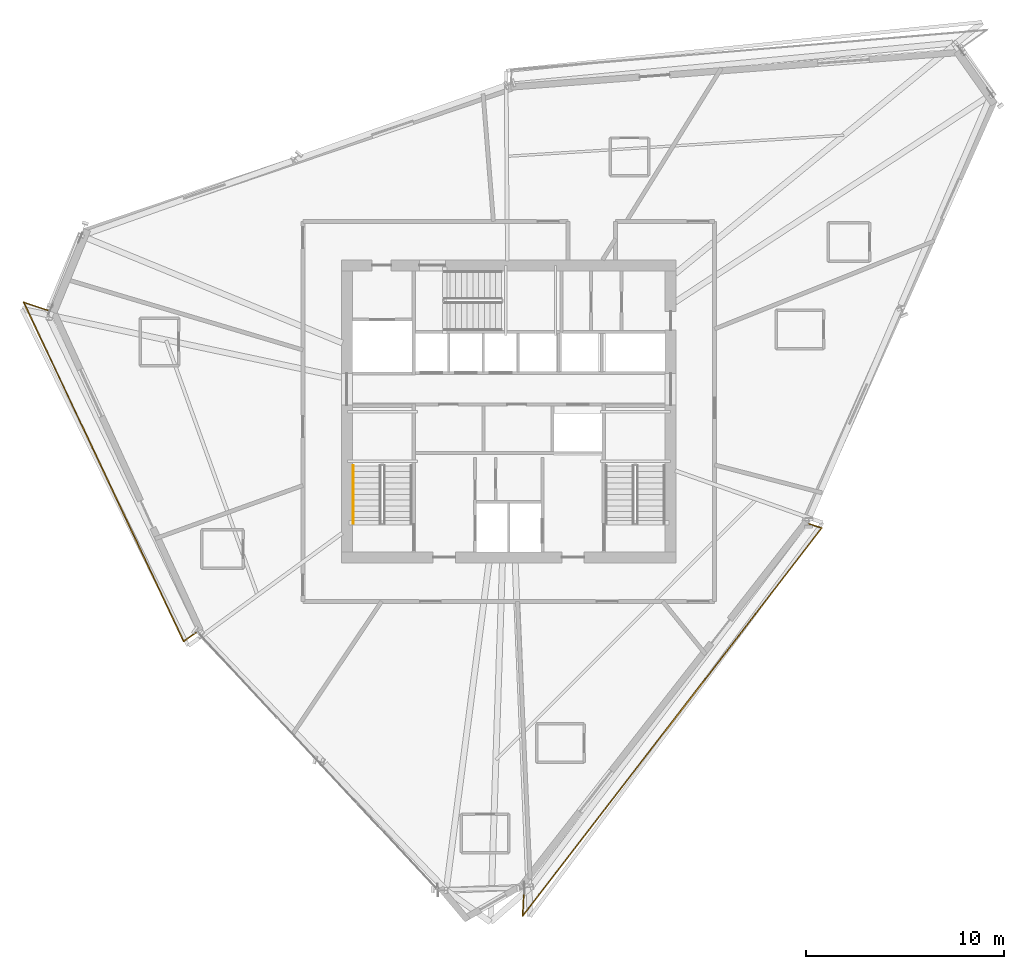
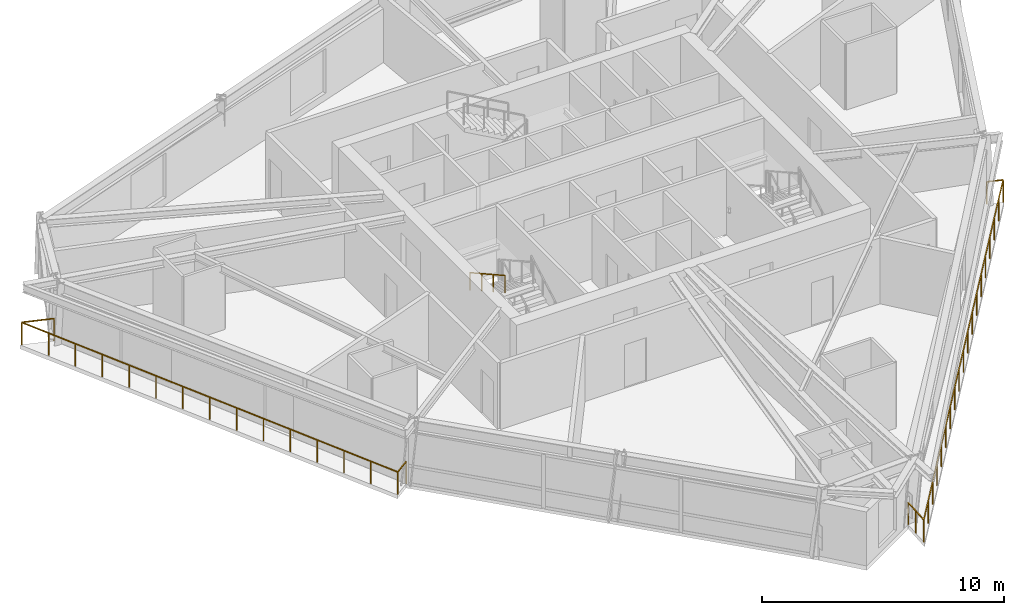
# One storey, part 12 of 14: 3 railings.
"""IFC4 building model written with IfcOpenShell, lengths in metres."""

from ifc_helpers import new_model, si_unit, direction, frame, origin, origin_2d, place, context, subcontext, project, spatial, rectangle, extrude, material, type_object, element, save


model = new_model("IFC4")

# Units and contexts
model_context = context("Model", 3, precision=1e-05, world=origin(), true_north=direction((0.0, 1.0)))
body_context = subcontext(model_context, "Body", "Model", "MODEL_VIEW")
ifc_project = project(units=[si_unit("LENGTHUNIT", "METRE"), si_unit("AREAUNIT", "SQUARE_METRE"), si_unit("VOLUMEUNIT", "CUBIC_METRE"), si_unit("PLANEANGLEUNIT", "RADIAN"), si_unit("MASSUNIT", "GRAM", prefix="KILO")], contexts=[model_context])

# Site, building, storey
site_placement = place(None, origin())
site = spatial("IfcSite", under=ifc_project, at=site_placement, CompositionType="ELEMENT")
building_placement = place(site_placement, origin())
building = spatial("IfcBuilding", under=site, at=building_placement, Name="Olszyna Solenne Hotel", CompositionType="ELEMENT")
storey_placement = place(building_placement, frame((0.0, 0.0, 178.550048828125)))
storey = spatial("IfcBuildingStorey", under=building, at=storey_placement, Name="L47", CompositionType="ELEMENT", Elevation=178.550048828125)

# Railings
ifc_material_1 = material(Name="Anodised bronze aluminium", Category="aluminium")
railing_type_1 = type_object("IfcRailingType", Name="GR-110", PredefinedType="BALUSTRADE", material=ifc_material_1)
railing_1_placement = place(storey_placement, frame((14.809814453125, 31.671875, 0.0)))
element("IfcRailing", 1, at=railing_1_placement, inside=storey, type_object=railing_type_1, Name="Loggia balcony balustrade guard GR-L47-LG2", PredefinedType="BALUSTRADE", context=body_context, shape_type="SweptSolid", body=[
    extrude(rectangle(XDim=0.048095703125, YDim=0.048095703125, at=origin_2d()), frame((0.0, 0.0, 1.1259765625), z_axis=(-0.949230660041, 0.314580918108, 0.0), x_axis=(-0.314580918108, -0.949230660041, 0.0)), (0.0, 0.0, 1.0), 1.379150390625),
    extrude(rectangle(XDim=0.048095703125, YDim=0.048095703125, at=origin_2d()), frame((-1.30908203125, 0.433837890625, 1.1259765625), z_axis=(0.426513410686, -0.904481238338, 0.0), x_axis=(0.904481238338, 0.426513410686, 0.0)), (0.0, 0.0, 1.0), 18.9365234375),
    extrude(rectangle(XDim=0.048095703125, YDim=0.048095703125, at=origin_2d()), frame((6.767578125, -16.69384765625, 1.1259765625), z_axis=(0.813908946388, 0.580992450028, 0.0), x_axis=(-0.580992450028, 0.813908946388, 0.0)), (0.0, 0.0, 1.0), 0.845947265625),
    extrude(rectangle(XDim=0.0419921875, YDim=0.0419921875, at=origin_2d()), origin(), (0.0, 0.0, 1.0), 1.101806640625),
    extrude(rectangle(XDim=0.0419921875, YDim=0.0419921875, at=origin_2d()), frame((-1.30908203125, 0.433837890625, 0.0)), (0.0, 0.0, 1.0), 1.101806640625),
    extrude(rectangle(XDim=0.0419921875, YDim=0.0419921875, at=origin_2d()), frame((-0.732177734375, -0.78955078125, 0.0)), (0.0, 0.0, 1.0), 1.101806640625),
    extrude(rectangle(XDim=0.0419921875, YDim=0.0419921875, at=origin_2d()), frame((-0.1552734375, -2.012939453125, 0.0)), (0.0, 0.0, 1.0), 1.101806640625),
    extrude(rectangle(XDim=0.0419921875, YDim=0.0419921875, at=origin_2d()), frame((0.421630859375, -3.236328125, 0.0)), (0.0, 0.0, 1.0), 1.101806640625),
    extrude(rectangle(XDim=0.0419921875, YDim=0.0419921875, at=origin_2d()), frame((0.99853515625, -4.459716796875, 0.0)), (0.0, 0.0, 1.0), 1.101806640625),
    extrude(rectangle(XDim=0.0419921875, YDim=0.0419921875, at=origin_2d()), frame((1.575439453125, -5.68310546875, 0.0)), (0.0, 0.0, 1.0), 1.101806640625),
    extrude(rectangle(XDim=0.0419921875, YDim=0.0419921875, at=origin_2d()), frame((2.15234375, -6.906494140625, 0.0)), (0.0, 0.0, 1.0), 1.101806640625),
    extrude(rectangle(XDim=0.0419921875, YDim=0.0419921875, at=origin_2d()), frame((2.729248046875, -8.1298828125, 0.0)), (0.0, 0.0, 1.0), 1.101806640625),
    extrude(rectangle(XDim=0.0419921875, YDim=0.0419921875, at=origin_2d()), frame((3.30615234375, -9.353515625, 0.0)), (0.0, 0.0, 1.0), 1.101806640625),
    extrude(rectangle(XDim=0.0419921875, YDim=0.0419921875, at=origin_2d()), frame((3.883056640625, -10.576904296875, 0.0)), (0.0, 0.0, 1.0), 1.101806640625),
    extrude(rectangle(XDim=0.0419921875, YDim=0.0419921875, at=origin_2d()), frame((4.4599609375, -11.80029296875, 0.0)), (0.0, 0.0, 1.0), 1.101806640625),
    extrude(rectangle(XDim=0.0419921875, YDim=0.0419921875, at=origin_2d()), frame((5.036865234375, -13.023681640625, 0.0)), (0.0, 0.0, 1.0), 1.101806640625),
    extrude(rectangle(XDim=0.0419921875, YDim=0.0419921875, at=origin_2d()), frame((5.61376953125, -14.2470703125, 0.0)), (0.0, 0.0, 1.0), 1.101806640625),
    extrude(rectangle(XDim=0.0419921875, YDim=0.0419921875, at=origin_2d()), frame((6.190673828125, -15.470458984375, 0.0)), (0.0, 0.0, 1.0), 1.101806640625),
    extrude(rectangle(XDim=0.0419921875, YDim=0.0419921875, at=origin_2d()), frame((6.767578125, -16.69384765625, 0.0)), (0.0, 0.0, 1.0), 1.101806640625),
    extrude(rectangle(XDim=0.0419921875, YDim=0.0419921875, at=origin_2d()), frame((7.4560546875, -16.202392578125, 0.0)), (0.0, 0.0, 1.0), 1.101806640625),
])
railing_2_placement = place(storey_placement, frame((38.768798828125, 2.52978515625, 0.0)))
element("IfcRailing", 2, at=railing_2_placement, inside=storey, type_object=railing_type_1, Name="Loggia balcony balustrade guard GR-L47-LG3", PredefinedType="BALUSTRADE", context=body_context, shape_type="SweptSolid", body=[
    extrude(rectangle(XDim=0.048095703125, YDim=0.048095703125, at=origin_2d()), frame((0.0, 0.0, 1.1259765625), z_axis=(-0.047851377176, -0.998854466728, 0.0), x_axis=(0.998854466728, -0.047851377176, 0.0)), (0.0, 0.0, 1.0), 1.41845703125),
    extrude(rectangle(XDim=0.048095703125, YDim=0.048095703125, at=origin_2d()), frame((-0.06787109375, -1.416748046875, 1.1259765625), z_axis=(0.610519338792, 0.79200134909, 0.0), x_axis=(-0.79200134909, 0.610519338792, 0.0)), (0.0, 0.0, 1.0), 24.738037109375),
    extrude(rectangle(XDim=0.048095703125, YDim=0.048095703125, at=origin_2d()), frame((15.03515625, 18.17578125, 1.1259765625), z_axis=(-0.949177786917, 0.314740414983, 0.0), x_axis=(-0.314740414983, -0.949177786917, 0.0)), (0.0, 0.0, 1.0), 0.689697265625),
    extrude(rectangle(XDim=0.0419921875, YDim=0.0419921875, at=origin_2d()), origin(), (0.0, 0.0, 1.0), 1.101806640625),
    extrude(rectangle(XDim=0.0419921875, YDim=0.0419921875, at=origin_2d()), frame((-0.033935546875, -0.70849609375, 0.0)), (0.0, 0.0, 1.0), 1.101806640625),
    extrude(rectangle(XDim=0.0419921875, YDim=0.0419921875, at=origin_2d()), frame((-0.06787109375, -1.416748046875, 0.0)), (0.0, 0.0, 1.0), 1.101806640625),
    extrude(rectangle(XDim=0.0419921875, YDim=0.0419921875, at=origin_2d()), frame((0.771240234375, -0.328369140625, 0.0)), (0.0, 0.0, 1.0), 1.101806640625),
    extrude(rectangle(XDim=0.0419921875, YDim=0.0419921875, at=origin_2d()), frame((1.6103515625, 0.76025390625, 0.0)), (0.0, 0.0, 1.0), 1.101806640625),
    extrude(rectangle(XDim=0.0419921875, YDim=0.0419921875, at=origin_2d()), frame((2.44921875, 1.8486328125, 0.0)), (0.0, 0.0, 1.0), 1.101806640625),
    extrude(rectangle(XDim=0.0419921875, YDim=0.0419921875, at=origin_2d()), frame((3.288330078125, 2.937255859375, 0.0)), (0.0, 0.0, 1.0), 1.101806640625),
    extrude(rectangle(XDim=0.0419921875, YDim=0.0419921875, at=origin_2d()), frame((4.12744140625, 4.025634765625, 0.0)), (0.0, 0.0, 1.0), 1.101806640625),
    extrude(rectangle(XDim=0.0419921875, YDim=0.0419921875, at=origin_2d()), frame((4.966552734375, 5.114013671875, 0.0)), (0.0, 0.0, 1.0), 1.101806640625),
    extrude(rectangle(XDim=0.0419921875, YDim=0.0419921875, at=origin_2d()), frame((5.805419921875, 6.20263671875, 0.0)), (0.0, 0.0, 1.0), 1.101806640625),
    extrude(rectangle(XDim=0.0419921875, YDim=0.0419921875, at=origin_2d()), frame((6.64453125, 7.291015625, 0.0)), (0.0, 0.0, 1.0), 1.101806640625),
    extrude(rectangle(XDim=0.0419921875, YDim=0.0419921875, at=origin_2d()), frame((7.483642578125, 8.37939453125, 0.0)), (0.0, 0.0, 1.0), 1.101806640625),
    extrude(rectangle(XDim=0.0419921875, YDim=0.0419921875, at=origin_2d()), frame((8.32275390625, 9.468017578125, 0.0)), (0.0, 0.0, 1.0), 1.101806640625),
    extrude(rectangle(XDim=0.0419921875, YDim=0.0419921875, at=origin_2d()), frame((9.161865234375, 10.556396484375, 0.0)), (0.0, 0.0, 1.0), 1.101806640625),
    extrude(rectangle(XDim=0.0419921875, YDim=0.0419921875, at=origin_2d()), frame((10.000732421875, 11.64501953125, 0.0)), (0.0, 0.0, 1.0), 1.101806640625),
    extrude(rectangle(XDim=0.0419921875, YDim=0.0419921875, at=origin_2d()), frame((10.83984375, 12.7333984375, 0.0)), (0.0, 0.0, 1.0), 1.101806640625),
    extrude(rectangle(XDim=0.0419921875, YDim=0.0419921875, at=origin_2d()), frame((11.678955078125, 13.82177734375, 0.0)), (0.0, 0.0, 1.0), 1.101806640625),
    extrude(rectangle(XDim=0.0419921875, YDim=0.0419921875, at=origin_2d()), frame((12.51806640625, 14.910400390625, 0.0)), (0.0, 0.0, 1.0), 1.101806640625),
    extrude(rectangle(XDim=0.0419921875, YDim=0.0419921875, at=origin_2d()), frame((13.35693359375, 15.998779296875, 0.0)), (0.0, 0.0, 1.0), 1.101806640625),
    extrude(rectangle(XDim=0.0419921875, YDim=0.0419921875, at=origin_2d()), frame((14.196044921875, 17.08740234375, 0.0)), (0.0, 0.0, 1.0), 1.101806640625),
    extrude(rectangle(XDim=0.0419921875, YDim=0.0419921875, at=origin_2d()), frame((15.03515625, 18.17578125, 0.0)), (0.0, 0.0, 1.0), 1.101806640625),
    extrude(rectangle(XDim=0.0419921875, YDim=0.0419921875, at=origin_2d()), frame((14.380615234375, 18.392822265625, 0.0)), (0.0, 0.0, 1.0), 1.101806640625),
])
ifc_material_2 = material(Name="Steel S355J2", Category="steel")
railing_type_2 = type_object("IfcRailingType", Name="HR-090", PredefinedType="HANDRAIL", material=ifc_material_2)
railing_3_placement = place(storey_placement, frame((30.14990234375, 23.85009765625, 1.936279296875)))
element("IfcRailing", 3, at=railing_3_placement, inside=storey, type_object=railing_type_2, Name="L47 ST1 stair handrail 2", PredefinedType="HANDRAIL", context=body_context, shape_type="SweptSolid", body=[
    extrude(rectangle(XDim=0.048095703125, YDim=0.048095703125, at=origin_2d()), frame((0.0, 0.0, 0.8759765625), z_axis=(0.0, -0.873827439584, 0.48623616261), x_axis=(1.0, 0.0, 0.0)), (0.0, 0.0, 1.0), 3.31884765625),
    extrude(rectangle(XDim=0.0419921875, YDim=0.0419921875, at=origin_2d()), origin(), (0.0, 0.0, 1.0), 0.851806640625),
    extrude(rectangle(XDim=0.0419921875, YDim=0.0419921875, at=origin_2d()), frame((0.0, -0.966796875, 0.537841796875)), (0.0, 0.0, 1.0), 0.851806640625),
    extrude(rectangle(XDim=0.0419921875, YDim=0.0419921875, at=origin_2d()), frame((0.0, -1.933349609375, 1.075927734375)), (0.0, 0.0, 1.0), 0.851806640625),
    extrude(rectangle(XDim=0.0419921875, YDim=0.0419921875, at=origin_2d()), frame((0.0, -2.900146484375, 1.61376953125)), (0.0, 0.0, 1.0), 0.851806640625),
])

save(model, "model.ifc")
